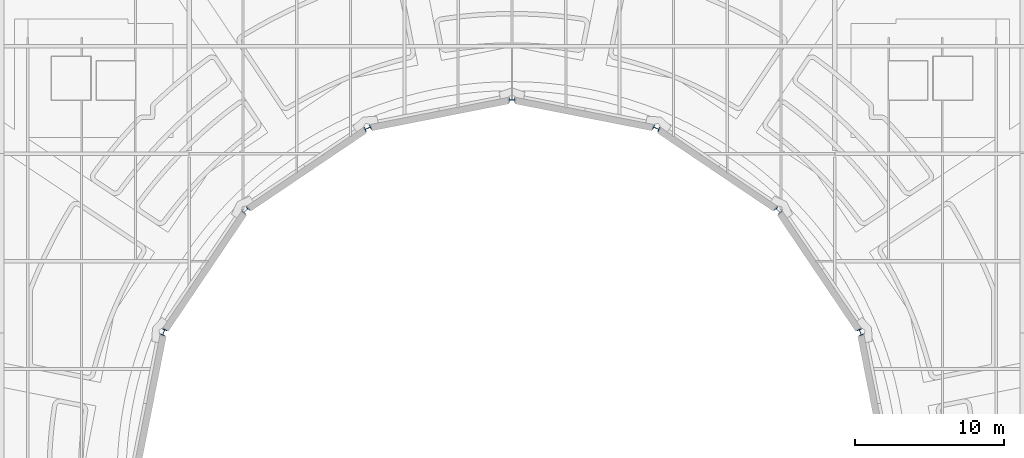
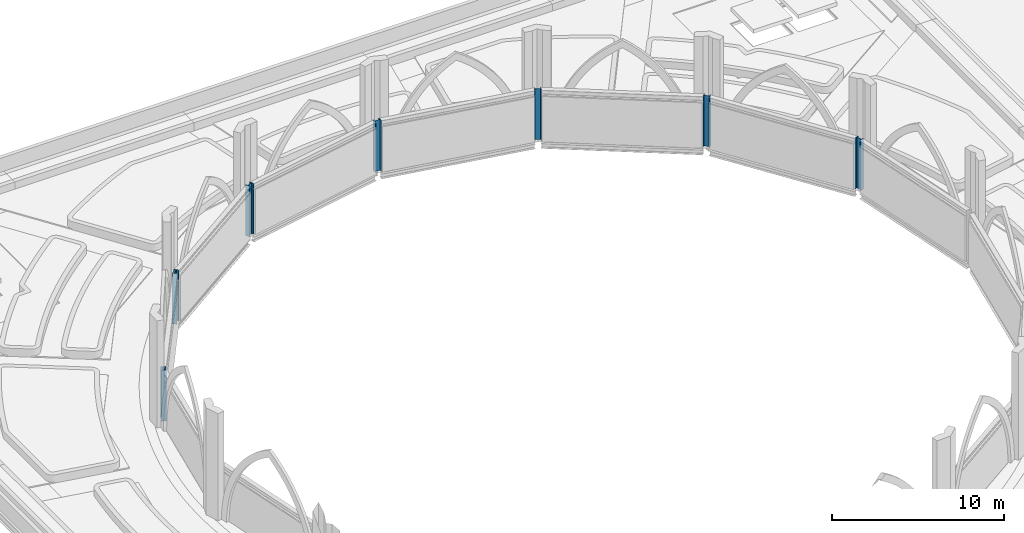
# One storey, part 6 of 110: 7 columns.
"""IFC4 building model written with IfcOpenShell, lengths in metres."""

from ifc_helpers import new_model, si_unit, direction, frame, origin, origin_2d, place, context, subcontext, project, spatial, i_section, extrude, material, material_profile, profile_set, type_object, element, save


model = new_model("IFC4")

# Units and contexts
model_context = context("Model", 3, precision=1e-05, world=origin(), true_north=direction((0.0, 1.0)))
body_context = subcontext(model_context, "Body", "Model", "MODEL_VIEW")
ifc_project = project(units=[si_unit("LENGTHUNIT", "METRE"), si_unit("AREAUNIT", "SQUARE_METRE"), si_unit("VOLUMEUNIT", "CUBIC_METRE"), si_unit("PLANEANGLEUNIT", "RADIAN"), si_unit("MASSUNIT", "GRAM", prefix="KILO")], contexts=[model_context])

# Site, building, storey
site_placement = place(None, origin())
site = spatial("IfcSite", under=ifc_project, at=site_placement, CompositionType="ELEMENT")
building_placement = place(site_placement, origin())
building = spatial("IfcBuilding", under=site, at=building_placement, Name="Kupolbacken Congress Centre", CompositionType="ELEMENT")
storey_placement = place(building_placement, frame((0.0, 0.0, 18.0)))
storey = spatial("IfcBuildingStorey", under=building, at=storey_placement, Name="L05", CompositionType="ELEMENT", Elevation=18.0)

# Columns
ifc_material = material(Name="Steel S355", Category="steel")
ifc_material_profile = material_profile(ifc_material, i_section(OverallWidth=0.300048828125, OverallDepth=0.39990234375, WebThickness=0.013427734375, FlangeThickness=0.02392578125, FilletRadius=0.027099609375, at=origin_2d()), Name="HEB 400")
ifc_profile_set = profile_set([ifc_material_profile], Name="Steel S355")
column_type = type_object("IfcColumnType", Name="C08 column HEB 400", PredefinedType="COLUMN", material=ifc_profile_set)
for number, where, z_axis, x_axis, name in (
    (1, (66.5, 96.050048828125, 0.0), (0.0, 0.0, 1.0), (0.923896018243, 0.382643629864, 0.0), "S/col/C-D02/L05"),
    (2, (61.0, 104.199951171875, 0.0), (0.0, 0.0, 1.0), (0.707106781187, 0.707106781187, 0.0), "S/col/C-D03/L05"),
    (3, (52.85009765625, 109.699951171875, 0.0), (0.0, 0.0, 1.0), (0.382643629864, 0.923896018243, 0.0), "S/col/C-D04/L05"),
    (4, (43.199951171875, 111.60009765625, 0.0), (0.0, 0.0, 1.0), (0.0, 1.0, 0.0), "S/col/C-D05/L05"),
    (5, (33.550048828125, 109.699951171875, 0.0), (0.0, 0.0, 1.0), (-0.382643629864, 0.923896018243, 0.0), "S/col/C-D06/L05"),
    (6, (25.39990234375, 104.199951171875, 0.0), (0.0, 0.0, 1.0), (-0.707106781187, 0.707106781187, 0.0), "S/col/C-D07/L05"),
    (7, (19.89990234375, 96.050048828125, 0.0), (0.0, 0.0, 1.0), (-0.923896018243, 0.382643629864, 0.0), "S/col/C-D08/L05"),
):
    element("IfcColumn", number, at=place(storey_placement, frame(where, z_axis=z_axis, x_axis=x_axis)), inside=storey, type_object=column_type, Name=name, PredefinedType="COLUMN", context=body_context, shape_type="SweptSolid", body=[
        extrude(i_section(OverallWidth=0.300048828125, OverallDepth=0.39990234375, WebThickness=0.013427734375, FlangeThickness=0.02392578125, FilletRadius=0.027099609375, at=origin_2d()), origin(), (0.0, 0.0, 1.0), 3.60009765625),
    ])

save(model, "model.ifc")
